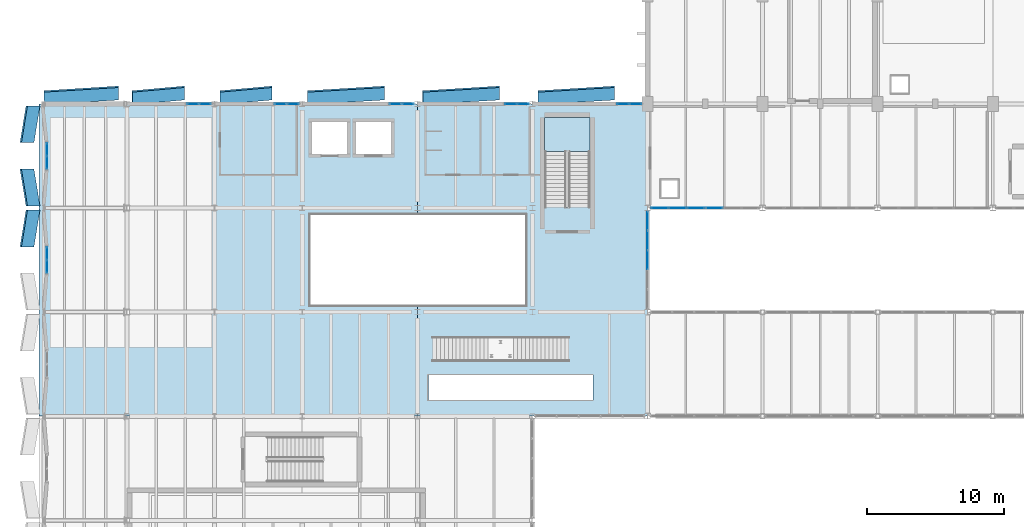
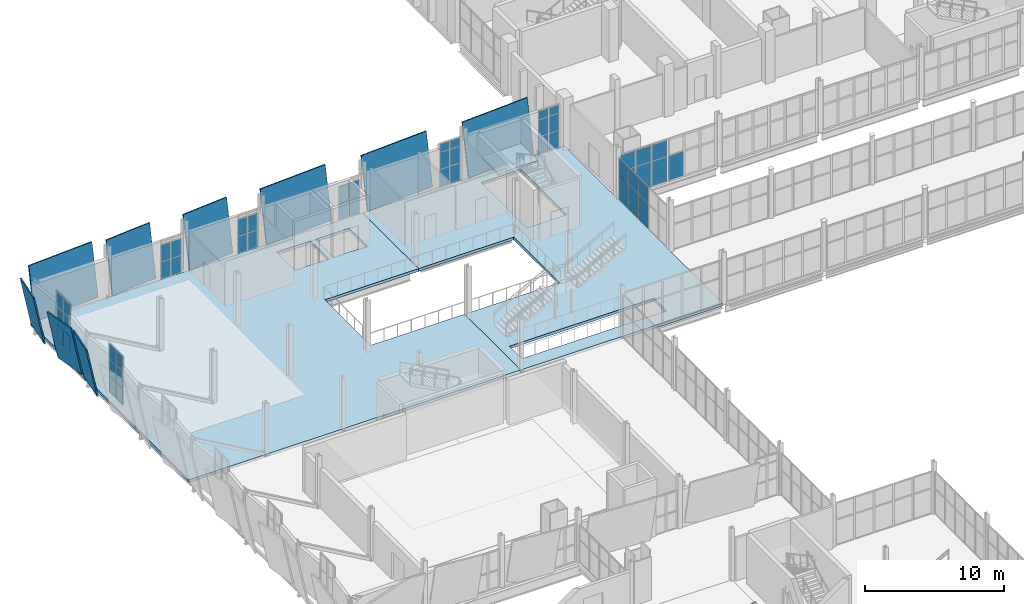
# One storey, part 133 of 172: 58 plates, 3 slabs, 11 elements without a shape of their own.
"""IFC4 building model written with IfcOpenShell, lengths in metres."""

from ifc_helpers import new_model, si_unit, direction, frame, origin, origin_2d, place, context, subcontext, project, spatial, polyline, rectangle, outline, extrude, material, layer, layer_set, type_object, element, aggregate, save


model = new_model("IFC4")

# Units and contexts
model_context = context("Model", 3, precision=1e-05, world=origin(), true_north=direction((0.0, 1.0)))
body_context = subcontext(model_context, "Body", "Model", "MODEL_VIEW")
ifc_project = project(units=[si_unit("LENGTHUNIT", "METRE"), si_unit("AREAUNIT", "SQUARE_METRE"), si_unit("VOLUMEUNIT", "CUBIC_METRE"), si_unit("PLANEANGLEUNIT", "RADIAN"), si_unit("MASSUNIT", "GRAM", prefix="KILO")], contexts=[model_context])

# Site, building, storey
site_placement = place(None, origin())
site = spatial("IfcSite", under=ifc_project, at=site_placement, CompositionType="ELEMENT")
building_placement = place(site_placement, origin())
building = spatial("IfcBuilding", under=site, at=building_placement, Name="Shengluoqiao Park Theatre", CompositionType="ELEMENT")
storey_placement = place(building_placement, frame((0.0, 0.0, 5.39990234375)))
storey = spatial("IfcBuildingStorey", under=building, at=storey_placement, Name="L01", CompositionType="ELEMENT", Elevation=5.39990234375)

# Plates
ifc_material_1 = material(Name="Precast concrete C45", Category="concrete")
ifc_layer_1 = layer(ifc_material_1, 0.110107421875, Name="Precast concrete C45")
ifc_layer_set_1 = layer_set([ifc_layer_1], Name="Precast concrete C45")
plate_type_1 = type_object("IfcPlateType", Name="ENV-CRYS-CP-110", PredefinedType="USERDEFINED", material=ifc_layer_set_1)
plate_1_placement = place(storey_placement, frame((-0.3798828125, 65.56005859375, 0.0), z_axis=(0.966456165331, -0.158698846498, 0.201933545044), x_axis=(0.16203514803, 0.98678498708, 8.772079e-06)))
element("IfcPlate", 1, at=plate_1_placement, inside=storey, type_object=plate_type_1, Name="V5 L01 Tilted White Precast Crystal Panel 010", ObjectType="FACADE PANEL", PredefinedType="USERDEFINED", context=body_context, shape_type="SweptSolid", body=[
    extrude(outline(polyline([(0.0, 0.0), (2.715802280254951, 0.0), (2.5682445466757526, 4.451795323707323), (-0.14759729294151017, 4.45184397272655), (0.0, 0.0)])), origin(), (0.0, 0.0, -1.0), 0.110107421875),
])
plate_2_placement = place(storey_placement, frame((0.06005859375, 68.56005859375, 0.0), z_axis=(0.966456165331, 0.158698846498, 0.201933545044), x_axis=(-0.16203514803, 0.98678498708, -8.772079e-06)))
element("IfcPlate", 2, at=plate_2_placement, inside=storey, type_object=plate_type_1, Name="V5 L01 Tilted White Precast Crystal Panel 011", ObjectType="FACADE PANEL", PredefinedType="USERDEFINED", context=body_context, shape_type="SweptSolid", body=[
    extrude(outline(polyline([(0.0, 0.0), (2.715802280254951, 0.0), (2.8633995731964608, 4.45184397272655), (0.14755773357919813, 4.451795323707323), (0.0, 0.0)])), origin(), (0.0, 0.0, -1.0), 0.110107421875),
])
plate_3_placement = place(storey_placement, frame((-0.3798828125, 73.159912109375, 0.0), z_axis=(0.966458382446, -0.158684754451, 0.201934008293), x_axis=(0.162020775512, 0.986787347013, 8.771341e-06)))
element("IfcPlate", 3, at=plate_3_placement, inside=storey, type_object=plate_type_1, Name="V5 L01 Tilted White Precast Crystal Panel 012", ObjectType="FACADE PANEL", PredefinedType="USERDEFINED", context=body_context, shape_type="SweptSolid", body=[
    extrude(outline(polyline([(0.0, 0.0), (2.7160431965294602, -1.3877787807814457e-17), (2.568498551497439, 4.451795757516704), (-0.1475842008854174, 4.451844406763821), (0.0, 0.0)])), origin(), (0.0, 0.0, -1.0), 0.110107421875),
])
plate_4_placement = place(storey_placement, frame((0.35009765625, 75.93994140625, 0.0), z_axis=(0.060969610232, -0.977045663461, 0.204118784387), x_axis=(0.998058662622, 0.06228086355, 0.0)))
element("IfcPlate", 4, at=plate_4_placement, inside=storey, type_object=plate_type_1, Name="V5 North L01 Tilted White Precast Crystal Panel 018", ObjectType="FACADE PANEL", PredefinedType="USERDEFINED", context=body_context, shape_type="SweptSolid", body=[
    extrude(outline(polyline([(0.0, 0.0), (5.460551945469565, 0.0), (5.517282878552106, 4.453878815602334), (0.05673093308254165, 4.453878815602334), (0.0, 0.0)])), origin(), (0.0, 0.0, -1.0), 0.110107421875),
])
for number, where, z_axis, x_axis, name in (
    (5, (6.800048828125, 75.93994140625, 0.0), (0.087270088978, -0.975132042315, 0.203719001617), (0.996019160545, 0.08913939548, 0.0), "V5 North L01 Tilted White Precast Crystal Panel 019"),
    (6, (13.199951171875, 75.93994140625, 0.0), (0.087270088978, -0.975132042315, 0.203719001617), (0.996019160545, 0.08913939548, 0.0), "V5 North L01 Tilted White Precast Crystal Panel 020"),
):
    element("IfcPlate", number, at=place(storey_placement, frame(where, z_axis=z_axis, x_axis=x_axis)), inside=storey, type_object=plate_type_1, Name=name, ObjectType="FACADE PANEL", PredefinedType="USERDEFINED", context=body_context, shape_type="SweptSolid", body=[
        extrude(outline(polyline([(0.0, 0.0), (3.815236672800778, 0.0), (3.8964327383609163, 4.453499983358843), (0.08119606556013848, 4.453499983358843), (0.0, 0.0)])), origin(), (0.0, 0.0, -1.0), 0.110107421875),
    ])
plate_5_placement = place(storey_placement, frame((19.60009765625, 75.93994140625, 0.0), z_axis=(0.059343342599, -0.97714160029, 0.20413882696), x_axis=(0.998160924028, 0.060619879111, 0.0)))
element("IfcPlate", 7, at=plate_5_placement, inside=storey, type_object=plate_type_1, Name="V5 North L01 Tilted White Precast Crystal Panel 021", ObjectType="FACADE PANEL", PredefinedType="USERDEFINED", context=body_context, shape_type="SweptSolid", body=[
    extrude(outline(polyline([(0.0, 0.0), (5.610171046394881, 0.0), (5.665389007567605, 4.453897829946662), (0.05521796117272464, 4.453897829946662), (0.0, 0.0)])), origin(), (0.0, 0.0, -1.0), 0.110107421875),
])
for number, where, z_axis, x_axis, name in (
    (8, (28.0, 75.93994140625, 0.0), (0.05934076459, -0.977141750305, 0.204138858301), (0.998161083934, 0.060617246051, 0.0), "V5 North L01 Tilted White Precast Crystal Panel 022"),
    (9, (36.39990234375, 75.93994140625, 0.0), (0.05934076459, -0.977141750305, 0.204138858301), (0.998161083934, 0.060617246051, 0.0), "V5 North L01 Tilted White Precast Crystal Panel 023"),
):
    element("IfcPlate", number, at=place(storey_placement, frame(where, z_axis=z_axis, x_axis=x_axis)), inside=storey, type_object=plate_type_1, Name=name, ObjectType="FACADE PANEL", PredefinedType="USERDEFINED", context=body_context, shape_type="SweptSolid", body=[
        extrude(outline(polyline([(0.0, 0.0), (5.610414738046244, 0.0), (5.665630300794472, 4.453897859680896), (0.05521556274822817, 4.453897859680896), (0.0, 0.0)])), origin(), (0.0, 0.0, -1.0), 0.110107421875),
    ])

# Curtain wall, plates
ifc_material_2 = material(Name="Aluminium 6063-T6", Category="aluminium")
curtain_wall_type_1 = type_object("IfcCurtainWallType", Name="ENV-CW-FOYER", PredefinedType="NOTDEFINED", material=ifc_material_2)
curtain_wall_1_placement = place(storey_placement, origin())
curtain_wall_1 = element("IfcCurtainWall", 10, at=curtain_wall_1_placement, inside=storey, type_object=curtain_wall_type_1, Name="L01 Curtain Wall CW-L01-0046", PredefinedType="NOTDEFINED")
ifc_material_3 = material(Name="Insulated glass", Category="glass")
ifc_layer_2 = layer(ifc_material_3, 0.0380859375, Name="Insulated glass")
ifc_layer_set_2 = layer_set([ifc_layer_2], Name="Insulated glass")
plate_type_2 = type_object("IfcPlateType", Name="ENV-GLZ-GL-38", PredefinedType="CURTAIN_PANEL", material=ifc_layer_set_2)
plate_6_placement = place(storey_placement, frame((11.21728515625, 76.0, 0.06494140625), z_axis=(0.0, 0.0, 1.0), x_axis=(1.0, 0.0, 0.0)))
plate_6 = element("IfcPlate", 11, at=plate_6_placement, type_object=plate_type_2, Name="CW-01 panel 1.1", PredefinedType="CURTAIN_PANEL", context=body_context, shape_type="SweptSolid", body=[
    extrude(rectangle(XDim=0.83251953125, YDim=0.0380859375, at=origin_2d()), origin(), (0.0, 0.0, 1.0), 1.452392578125),
])
plate_7_placement = place(storey_placement, frame((11.21728515625, 76.0, 1.58251953125), z_axis=(0.0, 0.0, 1.0), x_axis=(1.0, 0.0, 0.0)))
plate_7 = element("IfcPlate", 12, at=plate_7_placement, type_object=plate_type_2, Name="CW-01 panel 1.2", PredefinedType="CURTAIN_PANEL", context=body_context, shape_type="SweptSolid", body=[
    extrude(rectangle(XDim=0.83251953125, YDim=0.0380859375, at=origin_2d()), origin(), (0.0, 0.0, 1.0), 1.43505859375),
])
plate_8_placement = place(storey_placement, frame((12.11474609375, 76.0, 0.06494140625), z_axis=(0.0, 0.0, 1.0), x_axis=(1.0, 0.0, 0.0)))
plate_8 = element("IfcPlate", 13, at=plate_8_placement, type_object=plate_type_2, Name="CW-01 panel 2.1", PredefinedType="CURTAIN_PANEL", context=body_context, shape_type="SweptSolid", body=[
    extrude(rectangle(XDim=0.83251953125, YDim=0.0380859375, at=origin_2d()), origin(), (0.0, 0.0, 1.0), 1.452392578125),
])
plate_9_placement = place(storey_placement, frame((12.11474609375, 76.0, 1.58251953125), z_axis=(0.0, 0.0, 1.0), x_axis=(1.0, 0.0, 0.0)))
plate_9 = element("IfcPlate", 14, at=plate_9_placement, type_object=plate_type_2, Name="CW-01 panel 2.2", PredefinedType="CURTAIN_PANEL", context=body_context, shape_type="SweptSolid", body=[
    extrude(rectangle(XDim=0.83251953125, YDim=0.0380859375, at=origin_2d()), origin(), (0.0, 0.0, 1.0), 1.43505859375),
])
aggregate(curtain_wall_1, [plate_6, plate_7, plate_8, plate_9])

curtain_wall_2_placement = place(storey_placement, origin())
curtain_wall_2 = element("IfcCurtainWall", 15, at=curtain_wall_2_placement, inside=storey, type_object=curtain_wall_type_1, Name="L01 Curtain Wall CW-L01-0047", PredefinedType="NOTDEFINED")
plate_10_placement = place(storey_placement, frame((17.6171875, 76.0, 0.06494140625), z_axis=(0.0, 0.0, 1.0), x_axis=(1.0, 0.0, 0.0)))
plate_10 = element("IfcPlate", 16, at=plate_10_placement, type_object=plate_type_2, Name="CW-01 panel 1.1", PredefinedType="CURTAIN_PANEL", context=body_context, shape_type="SweptSolid", body=[
    extrude(rectangle(XDim=0.83251953125, YDim=0.0380859375, at=origin_2d()), origin(), (0.0, 0.0, 1.0), 1.452392578125),
])
plate_11_placement = place(storey_placement, frame((17.6171875, 76.0, 1.58251953125), z_axis=(0.0, 0.0, 1.0), x_axis=(1.0, 0.0, 0.0)))
plate_11 = element("IfcPlate", 17, at=plate_11_placement, type_object=plate_type_2, Name="CW-01 panel 1.2", PredefinedType="CURTAIN_PANEL", context=body_context, shape_type="SweptSolid", body=[
    extrude(rectangle(XDim=0.83251953125, YDim=0.0380859375, at=origin_2d()), origin(), (0.0, 0.0, 1.0), 1.43505859375),
])
plate_12_placement = place(storey_placement, frame((18.5146484375, 76.0, 0.06494140625), z_axis=(0.0, 0.0, 1.0), x_axis=(1.0, 0.0, 0.0)))
plate_12 = element("IfcPlate", 18, at=plate_12_placement, type_object=plate_type_2, Name="CW-01 panel 2.1", PredefinedType="CURTAIN_PANEL", context=body_context, shape_type="SweptSolid", body=[
    extrude(rectangle(XDim=0.83251953125, YDim=0.0380859375, at=origin_2d()), origin(), (0.0, 0.0, 1.0), 1.452392578125),
])
plate_13_placement = place(storey_placement, frame((18.5146484375, 76.0, 1.58251953125), z_axis=(0.0, 0.0, 1.0), x_axis=(1.0, 0.0, 0.0)))
plate_13 = element("IfcPlate", 19, at=plate_13_placement, type_object=plate_type_2, Name="CW-01 panel 2.2", PredefinedType="CURTAIN_PANEL", context=body_context, shape_type="SweptSolid", body=[
    extrude(rectangle(XDim=0.83251953125, YDim=0.0380859375, at=origin_2d()), origin(), (0.0, 0.0, 1.0), 1.43505859375),
])
aggregate(curtain_wall_2, [plate_10, plate_11, plate_12, plate_13])

curtain_wall_3_placement = place(storey_placement, origin())
curtain_wall_3 = element("IfcCurtainWall", 20, at=curtain_wall_3_placement, inside=storey, type_object=curtain_wall_type_1, Name="L01 Curtain Wall CW-L01-0048", PredefinedType="NOTDEFINED")
plate_14_placement = place(storey_placement, frame((26.017333984375, 76.0, 0.06494140625), z_axis=(0.0, 0.0, 1.0), x_axis=(1.0, 0.0, 0.0)))
plate_14 = element("IfcPlate", 21, at=plate_14_placement, type_object=plate_type_2, Name="CW-01 panel 1.1", PredefinedType="CURTAIN_PANEL", context=body_context, shape_type="SweptSolid", body=[
    extrude(rectangle(XDim=0.83251953125, YDim=0.0380859375, at=origin_2d()), origin(), (0.0, 0.0, 1.0), 1.452392578125),
])
plate_15_placement = place(storey_placement, frame((26.017333984375, 76.0, 1.58251953125), z_axis=(0.0, 0.0, 1.0), x_axis=(1.0, 0.0, 0.0)))
plate_15 = element("IfcPlate", 22, at=plate_15_placement, type_object=plate_type_2, Name="CW-01 panel 1.2", PredefinedType="CURTAIN_PANEL", context=body_context, shape_type="SweptSolid", body=[
    extrude(rectangle(XDim=0.83251953125, YDim=0.0380859375, at=origin_2d()), origin(), (0.0, 0.0, 1.0), 1.43505859375),
])
plate_16_placement = place(storey_placement, frame((26.914794921875, 76.0, 0.06494140625), z_axis=(0.0, 0.0, 1.0), x_axis=(1.0, 0.0, 0.0)))
plate_16 = element("IfcPlate", 23, at=plate_16_placement, type_object=plate_type_2, Name="CW-01 panel 2.1", PredefinedType="CURTAIN_PANEL", context=body_context, shape_type="SweptSolid", body=[
    extrude(rectangle(XDim=0.83251953125, YDim=0.0380859375, at=origin_2d()), origin(), (0.0, 0.0, 1.0), 1.452392578125),
])
plate_17_placement = place(storey_placement, frame((26.914794921875, 76.0, 1.58251953125), z_axis=(0.0, 0.0, 1.0), x_axis=(1.0, 0.0, 0.0)))
plate_17 = element("IfcPlate", 24, at=plate_17_placement, type_object=plate_type_2, Name="CW-01 panel 2.2", PredefinedType="CURTAIN_PANEL", context=body_context, shape_type="SweptSolid", body=[
    extrude(rectangle(XDim=0.83251953125, YDim=0.0380859375, at=origin_2d()), origin(), (0.0, 0.0, 1.0), 1.43505859375),
])
aggregate(curtain_wall_3, [plate_14, plate_15, plate_16, plate_17])

curtain_wall_4_placement = place(storey_placement, origin())
curtain_wall_4 = element("IfcCurtainWall", 25, at=curtain_wall_4_placement, inside=storey, type_object=curtain_wall_type_1, Name="L01 Curtain Wall CW-L01-0049", PredefinedType="NOTDEFINED")
plate_18_placement = place(storey_placement, frame((34.417236328125, 76.0, 0.06494140625), z_axis=(0.0, 0.0, 1.0), x_axis=(1.0, 0.0, 0.0)))
plate_18 = element("IfcPlate", 26, at=plate_18_placement, type_object=plate_type_2, Name="CW-01 panel 1.1", PredefinedType="CURTAIN_PANEL", context=body_context, shape_type="SweptSolid", body=[
    extrude(rectangle(XDim=0.83251953125, YDim=0.0380859375, at=origin_2d()), origin(), (0.0, 0.0, 1.0), 1.452392578125),
])
plate_19_placement = place(storey_placement, frame((34.417236328125, 76.0, 1.58251953125), z_axis=(0.0, 0.0, 1.0), x_axis=(1.0, 0.0, 0.0)))
plate_19 = element("IfcPlate", 27, at=plate_19_placement, type_object=plate_type_2, Name="CW-01 panel 1.2", PredefinedType="CURTAIN_PANEL", context=body_context, shape_type="SweptSolid", body=[
    extrude(rectangle(XDim=0.83251953125, YDim=0.0380859375, at=origin_2d()), origin(), (0.0, 0.0, 1.0), 1.43505859375),
])
plate_20_placement = place(storey_placement, frame((34.417236328125, 76.0, 3.08251953125), z_axis=(0.0, 0.0, 1.0), x_axis=(1.0, 0.0, 0.0)))
plate_20 = element("IfcPlate", 28, at=plate_20_placement, type_object=plate_type_2, Name="CW-01 panel 1.3", PredefinedType="CURTAIN_PANEL", context=body_context, shape_type="SweptSolid", body=[
    extrude(rectangle(XDim=0.83251953125, YDim=0.0380859375, at=origin_2d()), origin(), (0.0, 0.0, 1.0), 0.702392578125),
])
plate_21_placement = place(storey_placement, frame((35.314697265625, 76.0, 0.06494140625), z_axis=(0.0, 0.0, 1.0), x_axis=(1.0, 0.0, 0.0)))
plate_21 = element("IfcPlate", 29, at=plate_21_placement, type_object=plate_type_2, Name="CW-01 panel 2.1", PredefinedType="CURTAIN_PANEL", context=body_context, shape_type="SweptSolid", body=[
    extrude(rectangle(XDim=0.83251953125, YDim=0.0380859375, at=origin_2d()), origin(), (0.0, 0.0, 1.0), 1.452392578125),
])
plate_22_placement = place(storey_placement, frame((35.314697265625, 76.0, 1.58251953125), z_axis=(0.0, 0.0, 1.0), x_axis=(1.0, 0.0, 0.0)))
plate_22 = element("IfcPlate", 30, at=plate_22_placement, type_object=plate_type_2, Name="CW-01 panel 2.2", PredefinedType="CURTAIN_PANEL", context=body_context, shape_type="SweptSolid", body=[
    extrude(rectangle(XDim=0.83251953125, YDim=0.0380859375, at=origin_2d()), origin(), (0.0, 0.0, 1.0), 1.43505859375),
])
plate_23_placement = place(storey_placement, frame((35.314697265625, 76.0, 3.08251953125), z_axis=(0.0, 0.0, 1.0), x_axis=(1.0, 0.0, 0.0)))
plate_23 = element("IfcPlate", 31, at=plate_23_placement, type_object=plate_type_2, Name="CW-01 panel 2.3", PredefinedType="CURTAIN_PANEL", context=body_context, shape_type="SweptSolid", body=[
    extrude(rectangle(XDim=0.83251953125, YDim=0.0380859375, at=origin_2d()), origin(), (0.0, 0.0, 1.0), 0.702392578125),
])
aggregate(curtain_wall_4, [plate_18, plate_19, plate_20, plate_21, plate_22, plate_23])

curtain_wall_5_placement = place(storey_placement, origin())
curtain_wall_5 = element("IfcCurtainWall", 32, at=curtain_wall_5_placement, inside=storey, type_object=curtain_wall_type_1, Name="L01 Curtain Wall CW-L01-0050", PredefinedType="NOTDEFINED")
plate_24_placement = place(storey_placement, frame((42.6171875, 76.0, 0.06494140625), z_axis=(0.0, 0.0, 1.0), x_axis=(1.0, 0.0, 0.0)))
plate_24 = element("IfcPlate", 33, at=plate_24_placement, type_object=plate_type_2, Name="CW-01 panel 1.1", PredefinedType="CURTAIN_PANEL", context=body_context, shape_type="SweptSolid", body=[
    extrude(rectangle(XDim=0.83251953125, YDim=0.0380859375, at=origin_2d()), origin(), (0.0, 0.0, 1.0), 1.452392578125),
])
plate_25_placement = place(storey_placement, frame((42.6171875, 76.0, 1.58251953125), z_axis=(0.0, 0.0, 1.0), x_axis=(1.0, 0.0, 0.0)))
plate_25 = element("IfcPlate", 34, at=plate_25_placement, type_object=plate_type_2, Name="CW-01 panel 1.2", PredefinedType="CURTAIN_PANEL", context=body_context, shape_type="SweptSolid", body=[
    extrude(rectangle(XDim=0.83251953125, YDim=0.0380859375, at=origin_2d()), origin(), (0.0, 0.0, 1.0), 1.43505859375),
])
plate_26_placement = place(storey_placement, frame((42.6171875, 76.0, 3.08251953125), z_axis=(0.0, 0.0, 1.0), x_axis=(1.0, 0.0, 0.0)))
plate_26 = element("IfcPlate", 35, at=plate_26_placement, type_object=plate_type_2, Name="CW-01 panel 1.3", PredefinedType="CURTAIN_PANEL", context=body_context, shape_type="SweptSolid", body=[
    extrude(rectangle(XDim=0.83251953125, YDim=0.0380859375, at=origin_2d()), origin(), (0.0, 0.0, 1.0), 0.702392578125),
])
plate_27_placement = place(storey_placement, frame((43.5146484375, 76.0, 0.06494140625), z_axis=(0.0, 0.0, 1.0), x_axis=(1.0, 0.0, 0.0)))
plate_27 = element("IfcPlate", 36, at=plate_27_placement, type_object=plate_type_2, Name="CW-01 panel 2.1", PredefinedType="CURTAIN_PANEL", context=body_context, shape_type="SweptSolid", body=[
    extrude(rectangle(XDim=0.83251953125, YDim=0.0380859375, at=origin_2d()), origin(), (0.0, 0.0, 1.0), 1.452392578125),
])
plate_28_placement = place(storey_placement, frame((43.5146484375, 76.0, 1.58251953125), z_axis=(0.0, 0.0, 1.0), x_axis=(1.0, 0.0, 0.0)))
plate_28 = element("IfcPlate", 37, at=plate_28_placement, type_object=plate_type_2, Name="CW-01 panel 2.2", PredefinedType="CURTAIN_PANEL", context=body_context, shape_type="SweptSolid", body=[
    extrude(rectangle(XDim=0.83251953125, YDim=0.0380859375, at=origin_2d()), origin(), (0.0, 0.0, 1.0), 1.43505859375),
])
plate_29_placement = place(storey_placement, frame((43.5146484375, 76.0, 3.08251953125), z_axis=(0.0, 0.0, 1.0), x_axis=(1.0, 0.0, 0.0)))
plate_29 = element("IfcPlate", 38, at=plate_29_placement, type_object=plate_type_2, Name="CW-01 panel 2.3", PredefinedType="CURTAIN_PANEL", context=body_context, shape_type="SweptSolid", body=[
    extrude(rectangle(XDim=0.83251953125, YDim=0.0380859375, at=origin_2d()), origin(), (0.0, 0.0, 1.0), 0.702392578125),
])
aggregate(curtain_wall_5, [plate_24, plate_25, plate_26, plate_27, plate_28, plate_29])

curtain_wall_type_2 = type_object("IfcCurtainWallType", Name="ENV-CW-PROM", PredefinedType="NOTDEFINED", material=ifc_material_2)
curtain_wall_6_placement = place(storey_placement, origin())
curtain_wall_6 = element("IfcCurtainWall", 39, at=curtain_wall_6_placement, inside=storey, type_object=curtain_wall_type_2, Name="L01 Curtain Wall CW-L01-0051", PredefinedType="NOTDEFINED")
plate_30_placement = place(storey_placement, frame((45.2861328125, 68.39990234375, 0.065185546875), z_axis=(0.0, 0.0, 1.0), x_axis=(1.0, 0.0, 0.0)))
plate_30 = element("IfcPlate", 40, at=plate_30_placement, type_object=plate_type_2, Name="CW-04 panel 1.1", PredefinedType="CURTAIN_PANEL", context=body_context, shape_type="SweptSolid", body=[
    extrude(rectangle(XDim=1.234619140625, YDim=0.0380859375, at=origin_2d()), origin(), (0.0, 0.0, 1.0), 2.1474609375),
])
plate_31_placement = place(storey_placement, frame((45.2861328125, 68.39990234375, 2.277587890625), z_axis=(0.0, 0.0, 1.0), x_axis=(1.0, 0.0, 0.0)))
plate_31 = element("IfcPlate", 41, at=plate_31_placement, type_object=plate_type_2, Name="CW-04 panel 1.2", PredefinedType="CURTAIN_PANEL", context=body_context, shape_type="SweptSolid", body=[
    extrude(rectangle(XDim=1.234619140625, YDim=0.0380859375, at=origin_2d()), origin(), (0.0, 0.0, 1.0), 1.3994140625),
])
plate_32_placement = place(storey_placement, frame((46.60205078125, 68.39990234375, 0.065185546875), z_axis=(0.0, 0.0, 1.0), x_axis=(1.0, 0.0, 0.0)))
plate_32 = element("IfcPlate", 42, at=plate_32_placement, type_object=plate_type_2, Name="CW-04 panel 2.1", PredefinedType="CURTAIN_PANEL", context=body_context, shape_type="SweptSolid", body=[
    extrude(rectangle(XDim=1.26708984375, YDim=0.0380859375, at=origin_2d()), origin(), (0.0, 0.0, 1.0), 2.1474609375),
])
plate_33_placement = place(storey_placement, frame((46.60205078125, 68.39990234375, 2.277587890625), z_axis=(0.0, 0.0, 1.0), x_axis=(1.0, 0.0, 0.0)))
plate_33 = element("IfcPlate", 43, at=plate_33_placement, type_object=plate_type_2, Name="CW-04 panel 2.2", PredefinedType="CURTAIN_PANEL", context=body_context, shape_type="SweptSolid", body=[
    extrude(rectangle(XDim=1.26708984375, YDim=0.0380859375, at=origin_2d()), origin(), (0.0, 0.0, 1.0), 1.3994140625),
])
plate_34_placement = place(storey_placement, frame((47.917724609375, 68.39990234375, 0.065185546875), z_axis=(0.0, 0.0, 1.0), x_axis=(1.0, 0.0, 0.0)))
plate_34 = element("IfcPlate", 44, at=plate_34_placement, type_object=plate_type_2, Name="CW-04 panel 3.1", PredefinedType="CURTAIN_PANEL", context=body_context, shape_type="SweptSolid", body=[
    extrude(rectangle(XDim=1.234619140625, YDim=0.0380859375, at=origin_2d()), origin(), (0.0, 0.0, 1.0), 2.1474609375),
])
plate_35_placement = place(storey_placement, frame((47.917724609375, 68.39990234375, 2.277587890625), z_axis=(0.0, 0.0, 1.0), x_axis=(1.0, 0.0, 0.0)))
plate_35 = element("IfcPlate", 45, at=plate_35_placement, type_object=plate_type_2, Name="CW-04 panel 3.2", PredefinedType="CURTAIN_PANEL", context=body_context, shape_type="SweptSolid", body=[
    extrude(rectangle(XDim=1.234619140625, YDim=0.0380859375, at=origin_2d()), origin(), (0.0, 0.0, 1.0), 1.3994140625),
])
aggregate(curtain_wall_6, [plate_30, plate_31, plate_32, plate_33, plate_34, plate_35])

# Curtain wall, plate
curtain_wall_7_placement = place(storey_placement, origin())
curtain_wall_7 = element("IfcCurtainWall", 46, at=curtain_wall_7_placement, inside=storey, type_object=curtain_wall_type_2, Name="L01 Curtain Wall CW-L01-0052", PredefinedType="NOTDEFINED")
plate_36_placement = place(storey_placement, frame((49.2822265625, 68.39990234375, 0.065185546875), z_axis=(0.0, 0.0, 1.0), x_axis=(1.0, 0.0, 0.0)))
plate_36 = element("IfcPlate", 47, at=plate_36_placement, type_object=plate_type_2, Name="CW-04 panel 1.1", PredefinedType="CURTAIN_PANEL", context=body_context, shape_type="SweptSolid", body=[
    extrude(rectangle(XDim=1.234619140625, YDim=0.0380859375, at=origin_2d()), origin(), (0.0, 0.0, 1.0), 2.1474609375),
])
aggregate(curtain_wall_7, [plate_36])

# Curtain wall, plates
curtain_wall_type_3 = type_object("IfcCurtainWallType", Name="ENV-CW-COURT", PredefinedType="NOTDEFINED", material=ifc_material_2)
curtain_wall_8_placement = place(storey_placement, origin())
curtain_wall_8 = element("IfcCurtainWall", 48, at=curtain_wall_8_placement, inside=storey, type_object=curtain_wall_type_3, Name="L01 Curtain Wall CWX-L01-0213", PredefinedType="NOTDEFINED")
plate_37_placement = place(storey_placement, frame((44.39990234375, 64.60009765625, 0.06005859375), z_axis=(0.0, 0.0, 1.0), x_axis=(0.0, 1.0, 0.0)))
plate_37 = element("IfcPlate", 49, at=plate_37_placement, type_object=plate_type_2, Name="CW-05 panel 3.1", PredefinedType="CURTAIN_PANEL", context=body_context, shape_type="SweptSolid", body=[
    extrude(rectangle(XDim=1.37841796875, YDim=0.0380859375, at=origin_2d()), origin(), (0.0, 0.0, 1.0), 2.155029296875),
])
plate_38_placement = place(storey_placement, frame((44.39990234375, 64.60009765625, 2.27490234375), z_axis=(0.0, 0.0, 1.0), x_axis=(0.0, 1.0, 0.0)))
plate_38 = element("IfcPlate", 50, at=plate_38_placement, type_object=plate_type_2, Name="CW-05 panel 3.2", PredefinedType="CURTAIN_PANEL", context=body_context, shape_type="SweptSolid", body=[
    extrude(rectangle(XDim=1.37841796875, YDim=0.0380859375, at=origin_2d()), origin(), (0.0, 0.0, 1.0), 1.406982421875),
])
plate_39_placement = place(storey_placement, frame((44.39990234375, 66.038330078125, 0.06005859375), z_axis=(0.0, 0.0, 1.0), x_axis=(0.0, 1.0, 0.0)))
plate_39 = element("IfcPlate", 51, at=plate_39_placement, type_object=plate_type_2, Name="CW-05 panel 4.1", PredefinedType="CURTAIN_PANEL", context=body_context, shape_type="SweptSolid", body=[
    extrude(rectangle(XDim=1.37841796875, YDim=0.0380859375, at=origin_2d()), origin(), (0.0, 0.0, 1.0), 2.155029296875),
])
plate_40_placement = place(storey_placement, frame((44.39990234375, 66.038330078125, 2.27490234375), z_axis=(0.0, 0.0, 1.0), x_axis=(0.0, 1.0, 0.0)))
plate_40 = element("IfcPlate", 52, at=plate_40_placement, type_object=plate_type_2, Name="CW-05 panel 4.2", PredefinedType="CURTAIN_PANEL", context=body_context, shape_type="SweptSolid", body=[
    extrude(rectangle(XDim=1.37841796875, YDim=0.0380859375, at=origin_2d()), origin(), (0.0, 0.0, 1.0), 1.406982421875),
])
plate_41_placement = place(storey_placement, frame((44.39990234375, 67.4619140625, 0.06005859375), z_axis=(0.0, 0.0, 1.0), x_axis=(0.0, 1.0, 0.0)))
plate_41 = element("IfcPlate", 53, at=plate_41_placement, type_object=plate_type_2, Name="CW-05 panel 5.1", PredefinedType="CURTAIN_PANEL", context=body_context, shape_type="SweptSolid", body=[
    extrude(rectangle(XDim=1.348388671875, YDim=0.0380859375, at=origin_2d()), origin(), (0.0, 0.0, 1.0), 2.155029296875),
])
plate_42_placement = place(storey_placement, frame((44.39990234375, 67.4619140625, 2.27490234375), z_axis=(0.0, 0.0, 1.0), x_axis=(0.0, 1.0, 0.0)))
plate_42 = element("IfcPlate", 54, at=plate_42_placement, type_object=plate_type_2, Name="CW-05 panel 5.2", PredefinedType="CURTAIN_PANEL", context=body_context, shape_type="SweptSolid", body=[
    extrude(rectangle(XDim=1.348388671875, YDim=0.0380859375, at=origin_2d()), origin(), (0.0, 0.0, 1.0), 1.406982421875),
])
aggregate(curtain_wall_8, [plate_37, plate_38, plate_39, plate_40, plate_41, plate_42])

curtain_wall_9_placement = place(storey_placement, origin())
curtain_wall_9 = element("IfcCurtainWall", 55, at=curtain_wall_9_placement, inside=storey, type_object=curtain_wall_type_1, Name="L01 Curtain Wall CW-L01-SLIT-0236", PredefinedType="NOTDEFINED")
plate_43_placement = place(storey_placement, frame((0.56005859375, 64.1162109375, 0.06494140625), z_axis=(0.0, 0.0, 1.0), x_axis=(0.0, 1.0, 0.0)))
plate_43 = element("IfcPlate", 56, at=plate_43_placement, type_object=plate_type_2, Name="CW-01 panel 1.1", PredefinedType="CURTAIN_PANEL", context=body_context, shape_type="SweptSolid", body=[
    extrude(rectangle(XDim=0.902587890625, YDim=0.0380859375, at=origin_2d()), origin(), (0.0, 0.0, 1.0), 1.402587890625),
])
plate_44_placement = place(storey_placement, frame((0.56005859375, 64.1162109375, 1.532470703125), z_axis=(0.0, 0.0, 1.0), x_axis=(0.0, 1.0, 0.0)))
plate_44 = element("IfcPlate", 57, at=plate_44_placement, type_object=plate_type_2, Name="CW-01 panel 1.2", PredefinedType="CURTAIN_PANEL", context=body_context, shape_type="SweptSolid", body=[
    extrude(rectangle(XDim=0.902587890625, YDim=0.0380859375, at=origin_2d()), origin(), (0.0, 0.0, 1.0), 1.43505859375),
])
plate_45_placement = place(storey_placement, frame((0.56005859375, 64.1162109375, 3.03271484375), z_axis=(0.0, 0.0, 1.0), x_axis=(0.0, 1.0, 0.0)))
plate_45 = element("IfcPlate", 58, at=plate_45_placement, type_object=plate_type_2, Name="CW-01 panel 1.3", PredefinedType="CURTAIN_PANEL", context=body_context, shape_type="SweptSolid", body=[
    extrude(rectangle(XDim=0.902587890625, YDim=0.0380859375, at=origin_2d()), origin(), (0.0, 0.0, 1.0), 1.262451171875),
])
plate_46_placement = place(storey_placement, frame((0.56005859375, 65.083740234375, 0.06494140625), z_axis=(0.0, 0.0, 1.0), x_axis=(0.0, 1.0, 0.0)))
plate_46 = element("IfcPlate", 59, at=plate_46_placement, type_object=plate_type_2, Name="CW-01 panel 2.1", PredefinedType="CURTAIN_PANEL", context=body_context, shape_type="SweptSolid", body=[
    extrude(rectangle(XDim=0.902587890625, YDim=0.0380859375, at=origin_2d()), origin(), (0.0, 0.0, 1.0), 1.402587890625),
])
plate_47_placement = place(storey_placement, frame((0.56005859375, 65.083740234375, 1.532470703125), z_axis=(0.0, 0.0, 1.0), x_axis=(0.0, 1.0, 0.0)))
plate_47 = element("IfcPlate", 60, at=plate_47_placement, type_object=plate_type_2, Name="CW-01 panel 2.2", PredefinedType="CURTAIN_PANEL", context=body_context, shape_type="SweptSolid", body=[
    extrude(rectangle(XDim=0.902587890625, YDim=0.0380859375, at=origin_2d()), origin(), (0.0, 0.0, 1.0), 1.43505859375),
])
plate_48_placement = place(storey_placement, frame((0.56005859375, 65.083740234375, 3.03271484375), z_axis=(0.0, 0.0, 1.0), x_axis=(0.0, 1.0, 0.0)))
plate_48 = element("IfcPlate", 61, at=plate_48_placement, type_object=plate_type_2, Name="CW-01 panel 2.3", PredefinedType="CURTAIN_PANEL", context=body_context, shape_type="SweptSolid", body=[
    extrude(rectangle(XDim=0.902587890625, YDim=0.0380859375, at=origin_2d()), origin(), (0.0, 0.0, 1.0), 1.262451171875),
])
aggregate(curtain_wall_9, [plate_43, plate_44, plate_45, plate_46, plate_47, plate_48])

curtain_wall_10_placement = place(storey_placement, origin())
curtain_wall_10 = element("IfcCurtainWall", 62, at=curtain_wall_10_placement, inside=storey, type_object=curtain_wall_type_1, Name="L01 Curtain Wall CW-L01-SLIT-0237", PredefinedType="NOTDEFINED")
plate_49_placement = place(storey_placement, frame((0.56005859375, 71.71630859375, 0.06494140625), z_axis=(0.0, 0.0, 1.0), x_axis=(0.0, 1.0, 0.0)))
plate_49 = element("IfcPlate", 63, at=plate_49_placement, type_object=plate_type_2, Name="CW-01 panel 1.1", PredefinedType="CURTAIN_PANEL", context=body_context, shape_type="SweptSolid", body=[
    extrude(rectangle(XDim=0.902587890625, YDim=0.0380859375, at=origin_2d()), origin(), (0.0, 0.0, 1.0), 1.402587890625),
])
plate_50_placement = place(storey_placement, frame((0.56005859375, 71.71630859375, 1.532470703125), z_axis=(0.0, 0.0, 1.0), x_axis=(0.0, 1.0, 0.0)))
plate_50 = element("IfcPlate", 64, at=plate_50_placement, type_object=plate_type_2, Name="CW-01 panel 1.2", PredefinedType="CURTAIN_PANEL", context=body_context, shape_type="SweptSolid", body=[
    extrude(rectangle(XDim=0.902587890625, YDim=0.0380859375, at=origin_2d()), origin(), (0.0, 0.0, 1.0), 1.43505859375),
])
plate_51_placement = place(storey_placement, frame((0.56005859375, 71.71630859375, 3.03271484375), z_axis=(0.0, 0.0, 1.0), x_axis=(0.0, 1.0, 0.0)))
plate_51 = element("IfcPlate", 65, at=plate_51_placement, type_object=plate_type_2, Name="CW-01 panel 1.3", PredefinedType="CURTAIN_PANEL", context=body_context, shape_type="SweptSolid", body=[
    extrude(rectangle(XDim=0.902587890625, YDim=0.0380859375, at=origin_2d()), origin(), (0.0, 0.0, 1.0), 1.262451171875),
])
plate_52_placement = place(storey_placement, frame((0.56005859375, 72.683837890625, 0.06494140625), z_axis=(0.0, 0.0, 1.0), x_axis=(0.0, 1.0, 0.0)))
plate_52 = element("IfcPlate", 66, at=plate_52_placement, type_object=plate_type_2, Name="CW-01 panel 2.1", PredefinedType="CURTAIN_PANEL", context=body_context, shape_type="SweptSolid", body=[
    extrude(rectangle(XDim=0.902587890625, YDim=0.0380859375, at=origin_2d()), origin(), (0.0, 0.0, 1.0), 1.402587890625),
])
plate_53_placement = place(storey_placement, frame((0.56005859375, 72.683837890625, 1.532470703125), z_axis=(0.0, 0.0, 1.0), x_axis=(0.0, 1.0, 0.0)))
plate_53 = element("IfcPlate", 67, at=plate_53_placement, type_object=plate_type_2, Name="CW-01 panel 2.2", PredefinedType="CURTAIN_PANEL", context=body_context, shape_type="SweptSolid", body=[
    extrude(rectangle(XDim=0.902587890625, YDim=0.0380859375, at=origin_2d()), origin(), (0.0, 0.0, 1.0), 1.43505859375),
])
plate_54_placement = place(storey_placement, frame((0.56005859375, 72.683837890625, 3.03271484375), z_axis=(0.0, 0.0, 1.0), x_axis=(0.0, 1.0, 0.0)))
plate_54 = element("IfcPlate", 68, at=plate_54_placement, type_object=plate_type_2, Name="CW-01 panel 2.3", PredefinedType="CURTAIN_PANEL", context=body_context, shape_type="SweptSolid", body=[
    extrude(rectangle(XDim=0.902587890625, YDim=0.0380859375, at=origin_2d()), origin(), (0.0, 0.0, 1.0), 1.262451171875),
])
aggregate(curtain_wall_10, [plate_49, plate_50, plate_51, plate_52, plate_53, plate_54])

# Stair, slab
ifc_material_4 = material(Name="Concrete C40", Category="concrete")
stair_type = type_object("IfcStairType", Name="INT-STR-CORE", PredefinedType="HALF_TURN_STAIR", material=ifc_material_4)
stair_placement = place(storey_placement, origin())
stair = element("IfcStair", 69, at=stair_placement, inside=storey, type_object=stair_type, Name="L01 West Foyer Escape Stair 01", PredefinedType="HALF_TURN_STAIR")
ifc_layer_3 = layer(ifc_material_4, 0.199951171875, Name="Concrete C40")
ifc_layer_set_3 = layer_set([ifc_layer_3], Name="Concrete C40")
slab_type_1 = type_object("IfcSlabType", Name="INT-LND-SL-200", PredefinedType="LANDING", material=ifc_layer_set_3)
slab_1_placement = place(storey_placement, frame((0.0, 0.0, 2.10009765625)))
slab_1 = element("IfcSlab", 70, at=slab_1_placement, type_object=slab_type_1, Name="ST-01 landing 1", PredefinedType="LANDING", context=body_context, shape_type="SweptSolid", body=[
    extrude(outline(polyline([(40.199951171875, 72.510009765625), (40.199951171875, 75.0), (36.89990234375, 75.0), (36.89990234375, 72.510009765625), (40.199951171875, 72.510009765625)])), origin(), (0.0, 0.0, 1.0), 0.199951171875),
])
aggregate(stair, [slab_1])

# Slabs
ifc_material_5 = material(Name="Concrete C35", Category="concrete")
ifc_layer_4 = layer(ifc_material_5, 0.239990234375, Name="Concrete C35")
ifc_layer_set_4 = layer_set([ifc_layer_4], Name="Concrete C35")
slab_type_2 = type_object("IfcSlabType", Name="STR-SLB-FL240", PredefinedType="FLOOR", material=ifc_layer_set_4)
slab_2_placement = place(storey_placement, frame((0.0, 0.0, -0.239990234375)))
element("IfcSlab", 71, at=slab_2_placement, inside=storey, type_object=slab_type_2, Name="Floor Slab L01-V5-CW", PredefinedType="FLOOR", context=body_context, shape_type="SweptSolid", body=[
    extrude(outline(polyline([(27.60009765625, 53.199951171875), (0.0, 53.199951171875), (0.0, 76.0), (27.60009765625, 76.0), (27.60009765625, 67.89990234375), (19.800048828125, 67.89990234375), (19.800048828125, 61.300048828125), (27.60009765625, 61.300048828125), (27.60009765625, 53.199951171875)]), holes=[polyline([(25.800048828125, 72.199951171875), (25.800048828125, 74.800048828125), (23.0, 74.800048828125), (23.0, 72.199951171875), (25.800048828125, 72.199951171875)]), polyline([(19.800048828125, 72.199951171875), (22.60009765625, 72.199951171875), (22.60009765625, 74.800048828125), (19.800048828125, 74.800048828125), (19.800048828125, 72.199951171875)])]), origin(), (0.0, 0.0, 1.0), 0.239990234375),
])
slab_3_placement = place(storey_placement, frame((0.0, 0.0, -0.239990234375)))
element("IfcSlab", 72, at=slab_3_placement, inside=storey, type_object=slab_type_2, Name="Floor Slab L01-V5-CE", PredefinedType="FLOOR", context=body_context, shape_type="SweptSolid", body=[
    extrude(outline(polyline([(27.60009765625, 76.0), (44.39990234375, 76.0), (44.39990234375, 53.199951171875), (27.60009765625, 53.199951171875), (27.60009765625, 61.300048828125), (35.5, 61.300048828125), (35.5, 67.89990234375), (27.60009765625, 67.89990234375), (27.60009765625, 76.0)]), holes=[polyline([(28.39990234375, 54.39990234375), (40.406005859375, 54.39990234375), (40.406005859375, 56.199951171875), (28.39990234375, 56.199951171875), (28.39990234375, 54.39990234375)]), polyline([(40.199951171875, 68.4541015625), (40.199951171875, 75.0), (36.89990234375, 75.0), (36.89990234375, 68.4541015625), (40.199951171875, 68.4541015625)])]), origin(), (0.0, 0.0, 1.0), 0.239990234375),
])

save(model, "model.ifc")
